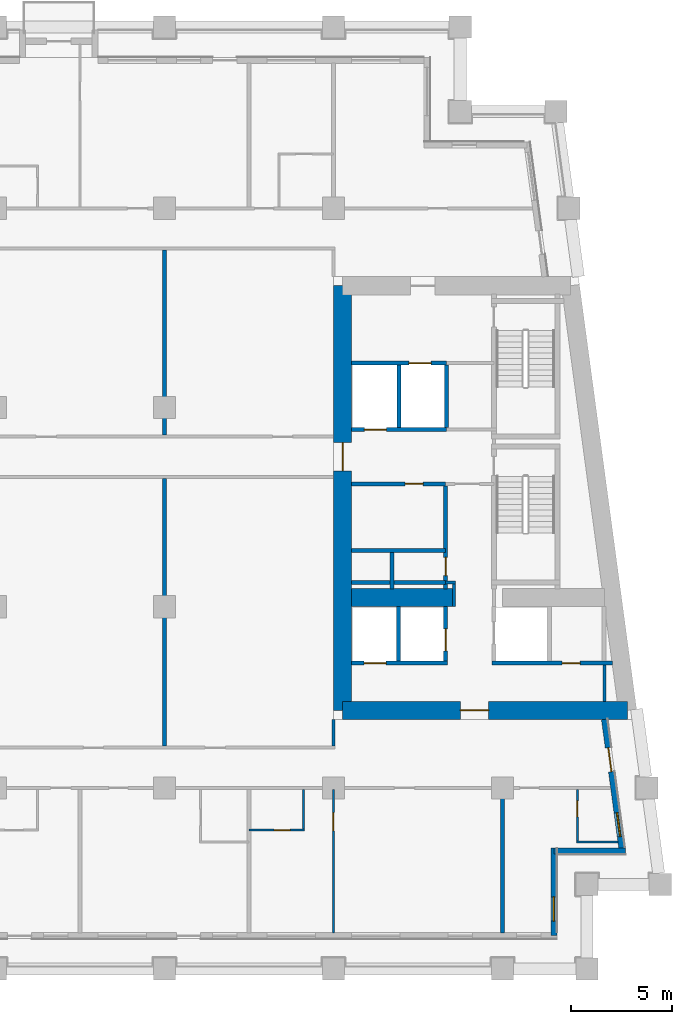
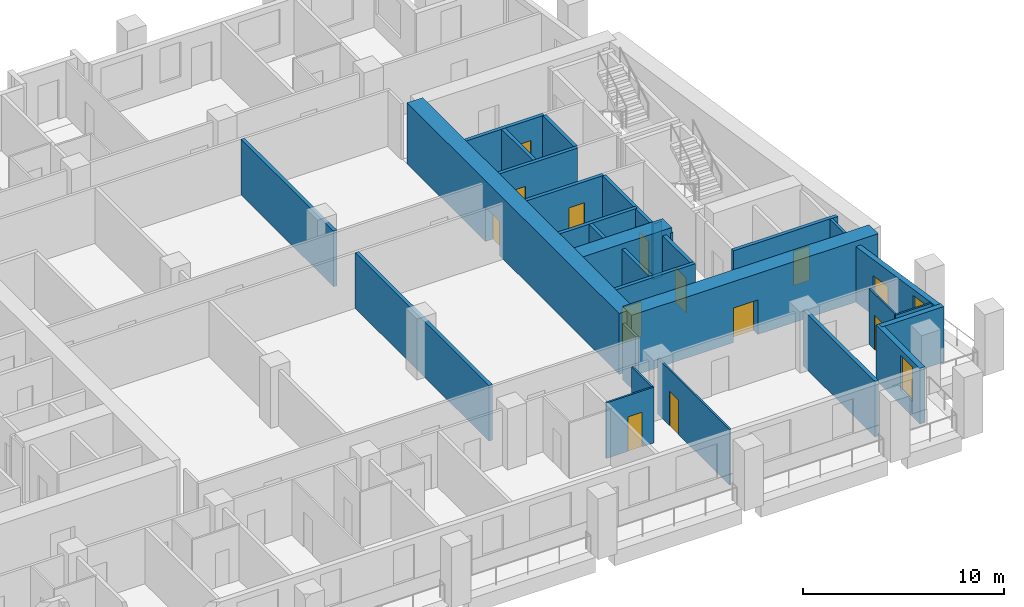
# One storey, part 5 of 13: 31 walls, 13 doors, 2 windows, 15 openings.
"""IFC4 building model written with IfcOpenShell, lengths in metres."""

from ifc_helpers import new_model, si_unit, direction, frame, frame_2d, origin, place, context, subcontext, project, spatial, rectangle, extrude, material, layer, layer_set, type_object, element, fill, save


model = new_model("IFC4")

# Units and contexts
model_context = context("Model", 3, precision=1e-05, world=origin(), true_north=direction((0.0, 1.0)))
body_context = subcontext(model_context, "Body", "Model", "MODEL_VIEW")
ifc_project = project(units=[si_unit("LENGTHUNIT", "METRE"), si_unit("AREAUNIT", "SQUARE_METRE"), si_unit("VOLUMEUNIT", "CUBIC_METRE"), si_unit("PLANEANGLEUNIT", "RADIAN"), si_unit("MASSUNIT", "GRAM", prefix="KILO")], contexts=[model_context])

# Site, building, storey
site_placement = place(None, origin())
site = spatial("IfcSite", under=ifc_project, at=site_placement, CompositionType="ELEMENT")
building_placement = place(site_placement, origin())
building = spatial("IfcBuilding", under=site, at=building_placement, Name="Candeia Pilgrim Tower and Theatre", CompositionType="ELEMENT")
storey_placement = place(building_placement, frame((0.0, 0.0, 170.0)))
storey = spatial("IfcBuildingStorey", under=building, at=storey_placement, Name="L40", CompositionType="ELEMENT", Elevation=170.0)

# Wall, opening, door
ifc_material_1 = material(Name="Concrete C60/75", Category="concrete")
ifc_layer_1 = layer(ifc_material_1, 0.89990234375)
ifc_layer_set_1 = layer_set([ifc_layer_1], Name="Core wall 900 C60/75")
wall_type_1 = type_object("IfcWallType", Name="Core wall 900 C60/75", PredefinedType="SHEAR", material=ifc_layer_set_1)
wall_1_placement = place(storey_placement, frame((140.6162109375, 110.85009765625, 0.0), z_axis=(0.0, 0.0, 1.0), x_axis=(-1.0, 0.0, 0.0)))
wall_1 = element("IfcWall", 1, at=wall_1_placement, inside=storey, type_object=wall_type_1, Name="Core wall E3", PredefinedType="SHEAR", context=body_context, shape_type="SweptSolid", body=[
    extrude(rectangle(XDim=14.166259765625, YDim=0.89990234375, at=frame_2d((7.0830078125, 0.0))), origin(), (0.0, 0.0, 1.0), 3.699951171875),
])
opening_1_placement = place(wall_1_placement, frame((6.911376953125, 0.0, 0.0)))
opening_1 = element("IfcOpeningElement", 2, at=opening_1_placement, cuts=wall_1, Name="Opening L40-D053", PredefinedType="OPENING", context=body_context, shape_type="SweptSolid", body=[
    extrude(rectangle(XDim=1.39990234375, YDim=2.10009765625, at=frame_2d((0.699951171875, 1.050048828125))), frame((0.0, 0.4599609375, 0.0), z_axis=(0.0, -1.0, 0.0), x_axis=(1.0, 0.0, 0.0)), (0.0, 0.0, 1.0), 0.919921875),
])
ifc_material_2 = material(Name="Steel fire door set", Category="steel")
door_type_1 = type_object("IfcDoorType", Name="D-1400-FD60", OperationType="NOTDEFINED", PredefinedType="DOOR", material=ifc_material_2)
door_1_placement = place(opening_1_placement, origin())
door_1 = element("IfcDoor", 3, at=door_1_placement, inside=storey, type_object=door_type_1, Name="Door L40-D053", OperationType="SINGLE_SWING_LEFT", OverallHeight=2.10009765625, OverallWidth=1.39990234375, PredefinedType="DOOR", context=body_context, shape_type="SweptSolid", body=[
    extrude(rectangle(XDim=1.39990234375, YDim=2.10009765625, at=frame_2d((0.699951171875, 1.050048828125))), frame((0.0, 0.02490234375, 0.0), z_axis=(0.0, -1.0, 0.0), x_axis=(1.0, 0.0, 0.0)), (0.0, 0.0, 1.0), 0.050048828125),
])
fill(opening_1, door_1)

wall_2_placement = place(storey_placement, frame((126.449951171875, 110.85009765625, 0.0), z_axis=(0.0, 0.0, 1.0), x_axis=(0.0, 1.0, 0.0)))
wall_2 = element("IfcWall", 4, at=wall_2_placement, inside=storey, type_object=wall_type_1, Name="Core wall E4", PredefinedType="SHEAR", context=body_context, shape_type="SweptSolid", body=[
    extrude(rectangle(XDim=21.099853515625, YDim=0.89990234375, at=frame_2d((10.5498046875, 0.0))), origin(), (0.0, 0.0, 1.0), 3.699951171875),
])
opening_2_placement = place(wall_2_placement, frame((11.89990234375, 0.0, 0.0)))
opening_2 = element("IfcOpeningElement", 5, at=opening_2_placement, cuts=wall_2, Name="Opening L40-D055", PredefinedType="OPENING", context=body_context, shape_type="SweptSolid", body=[
    extrude(rectangle(XDim=1.39990234375, YDim=2.10009765625, at=frame_2d((0.699951171875, 1.050048828125))), frame((0.0, 0.4599609375, 0.0), z_axis=(0.0, -1.0, 0.0), x_axis=(1.0, 0.0, 0.0)), (0.0, 0.0, 1.0), 0.919921875),
])
door_2_placement = place(opening_2_placement, origin())
door_2 = element("IfcDoor", 6, at=door_2_placement, inside=storey, type_object=door_type_1, Name="Door L40-D055", OperationType="SINGLE_SWING_LEFT", OverallHeight=2.10009765625, OverallWidth=1.39990234375, PredefinedType="DOOR", context=body_context, shape_type="SweptSolid", body=[
    extrude(rectangle(XDim=1.39990234375, YDim=2.10009765625, at=frame_2d((0.699951171875, 1.050048828125))), frame((0.0, 0.02490234375, 0.0), z_axis=(0.0, -1.0, 0.0), x_axis=(1.0, 0.0, 0.0)), (0.0, 0.0, 1.0), 0.050048828125),
])
fill(opening_2, door_2)

# Wall
wall_3_placement = place(storey_placement, frame((126.89990234375, 116.449951171875, 0.0), z_axis=(0.0, 0.0, 1.0), x_axis=(1.0, 0.0, 0.0)))
element("IfcWall", 7, at=wall_3_placement, inside=storey, type_object=wall_type_1, Name="Core wall E5", PredefinedType="SHEAR", context=body_context, shape_type="SweptSolid", body=[
    extrude(rectangle(XDim=5.10009765625, YDim=0.89990234375, at=frame_2d((2.550048828125, 0.0))), origin(), (0.0, 0.0, 1.0), 3.699951171875),
])

# Wall, opening, window
ifc_material_3 = material(Name="Ceramic block masonry", Category="masonry")
ifc_layer_2 = layer(ifc_material_3, 0.300048828125)
ifc_layer_set_2 = layer_set([ifc_layer_2], Name="EW1 glazing-line wall 300")
wall_type_2 = type_object("IfcWallType", Name="EW1 glazing-line wall 300", PredefinedType="SOLIDWALL", material=ifc_layer_set_2)
wall_4_placement = place(storey_placement, frame((136.949951171875, 99.64990234375, 0.0), z_axis=(0.0, 0.0, 1.0), x_axis=(0.0, 1.0, 0.0)))
wall_4 = element("IfcWall", 8, at=wall_4_placement, inside=storey, type_object=wall_type_2, Name="External wall L40-1.0", PredefinedType="SOLIDWALL", context=body_context, shape_type="SweptSolid", body=[
    extrude(rectangle(XDim=4.35009765625, YDim=0.300048828125, at=frame_2d((2.175048828125, 0.0))), origin(), (0.0, 0.0, 1.0), 3.3798828125),
])
opening_3_placement = place(wall_4_placement, frame((0.72509765625, 0.0, 0.89990234375)))
opening_3 = element("IfcOpeningElement", 9, at=opening_3_placement, cuts=wall_4, Name="Opening W-B", PredefinedType="OPENING", context=body_context, shape_type="SweptSolid", body=[
    extrude(rectangle(XDim=1.199951171875, YDim=2.10009765625, at=frame_2d((0.60009765625, 1.050048828125))), frame((0.0, 0.16015625, 0.0), z_axis=(0.0, -1.0, 0.0), x_axis=(1.0, 0.0, 0.0)), (0.0, 0.0, 1.0), 0.320068359375),
])
ifc_material_4 = material(Name="Aluminium framed double glazing", Category="aluminium")
window_type = type_object("IfcWindowType", Name="W-B window 1200x2100", PartitioningType="SINGLE_PANEL", PredefinedType="WINDOW", material=ifc_material_4)
window_1_placement = place(opening_3_placement, origin())
window_1 = element("IfcWindow", 10, at=window_1_placement, inside=storey, type_object=window_type, Name="Window W-B L40", OverallHeight=2.10009765625, OverallWidth=1.199951171875, PartitioningType="SINGLE_PANEL", PredefinedType="WINDOW", context=body_context, shape_type="SweptSolid", body=[
    extrude(rectangle(XDim=1.199951171875, YDim=2.10009765625, at=frame_2d((0.60009765625, 1.050048828125))), frame((0.0, 0.030029296875, 0.0), z_axis=(0.0, -1.0, 0.0), x_axis=(1.0, 0.0, 0.0)), (0.0, 0.0, 1.0), 0.06005859375),
])
fill(opening_3, window_1)

# Wall
wall_5_placement = place(storey_placement, frame((136.949951171875, 103.85009765625, 0.0), z_axis=(0.0, 0.0, 1.0), x_axis=(1.0, 0.0, 0.0)))
element("IfcWall", 11, at=wall_5_placement, inside=storey, type_object=wall_type_2, Name="External wall L40-2.0", PredefinedType="SOLIDWALL", context=body_context, shape_type="SweptSolid", body=[
    extrude(rectangle(XDim=3.569091796875, YDim=0.300048828125, at=frame_2d((1.78466796875, 0.0))), origin(), (0.0, 0.0, 1.0), 3.3798828125),
])

# Wall, openings, door, window
wall_6_placement = place(storey_placement, frame((140.34765625, 103.85009765625, 0.0), z_axis=(0.0, 0.0, 1.0), x_axis=(-0.133431549479, 0.991058031401, 0.0)))
wall_6 = element("IfcWall", 12, at=wall_6_placement, inside=storey, type_object=wall_type_2, Name="External wall L40-3.0", PredefinedType="SOLIDWALL", context=body_context, shape_type="SweptSolid", body=[
    extrude(rectangle(XDim=6.60888671875, YDim=0.300048828125, at=frame_2d((3.304443359375, 0.0))), origin(), (0.0, 0.0, 1.0), 3.3798828125),
])
opening_4_placement = place(wall_6_placement, frame((0.736572265625, 0.0, 0.89990234375)))
opening_4 = element("IfcOpeningElement", 13, at=opening_4_placement, cuts=wall_6, Name="Opening W-B", PredefinedType="OPENING", context=body_context, shape_type="SweptSolid", body=[
    extrude(rectangle(XDim=1.199951171875, YDim=2.10009765625, at=frame_2d((0.60009765625, 1.050048828125))), frame((0.0, 0.16015625, 0.0), z_axis=(0.0, -1.0, 0.0), x_axis=(1.0, 0.0, 0.0)), (0.0, 0.0, 1.0), 0.320068359375),
])
opening_5_placement = place(wall_6_placement, frame((3.990966796875, 0.0, 0.0)))
opening_5 = element("IfcOpeningElement", 14, at=opening_5_placement, cuts=wall_6, Name="Opening L40-ED384", PredefinedType="OPENING", context=body_context, shape_type="SweptSolid", body=[
    extrude(rectangle(XDim=1.199951171875, YDim=2.39990234375, at=frame_2d((0.60009765625, 1.199951171875))), frame((0.0, 0.16015625, 0.0), z_axis=(0.0, -1.0, 0.0), x_axis=(1.0, 0.0, 0.0)), (0.0, 0.0, 1.0), 0.320068359375),
])
ifc_material_5 = material(Name="Aluminium framed glazed door", Category="aluminium")
door_type_2 = type_object("IfcDoorType", Name="Loggia door 1200x2400", OperationType="DOUBLE_DOOR_SINGLE_SWING", PredefinedType="DOOR", material=ifc_material_5)
door_3_placement = place(opening_5_placement, origin())
door_3 = element("IfcDoor", 15, at=door_3_placement, inside=storey, type_object=door_type_2, Name="Loggia door L40-ED384", OperationType="DOUBLE_DOOR_SINGLE_SWING", OverallHeight=2.39990234375, OverallWidth=1.199951171875, PredefinedType="DOOR", context=body_context, shape_type="SweptSolid", body=[
    extrude(rectangle(XDim=1.199951171875, YDim=2.39990234375, at=frame_2d((0.60009765625, 1.199951171875))), frame((0.0, 0.02490234375, 0.0), z_axis=(0.0, -1.0, 0.0), x_axis=(1.0, 0.0, 0.0)), (0.0, 0.0, 1.0), 0.050048828125),
])
fill(opening_5, door_3)
window_2_placement = place(opening_4_placement, origin())
window_2 = element("IfcWindow", 16, at=window_2_placement, inside=storey, type_object=window_type, Name="Window W-B L40", OverallHeight=2.10009765625, OverallWidth=1.199951171875, PartitioningType="SINGLE_PANEL", PredefinedType="WINDOW", context=body_context, shape_type="SweptSolid", body=[
    extrude(rectangle(XDim=1.199951171875, YDim=2.10009765625, at=frame_2d((0.60009765625, 1.050048828125))), frame((0.0, 0.030029296875, 0.0), z_axis=(0.0, -1.0, 0.0), x_axis=(1.0, 0.0, 0.0)), (0.0, 0.0, 1.0), 0.06005859375),
])
fill(opening_4, window_2)

# Wall
ifc_material_6 = material(Name="Gypsum board partition on steel studs", Category="steel")
ifc_layer_3 = layer(ifc_material_6, 0.10009765625)
ifc_layer_set_3 = layer_set([ifc_layer_3], Name="PW-100 room partition")
wall_type_3 = type_object("IfcWallType", Name="PW-100 room partition", PredefinedType="PARTITIONING", material=ifc_layer_set_3)
wall_7_placement = place(storey_placement, frame((138.070068359375, 104.300048828125, 0.0), z_axis=(0.0, 0.0, 1.0), x_axis=(1.0, 0.0, 0.0)))
element("IfcWall", 17, at=wall_7_placement, inside=storey, type_object=wall_type_3, Name="Room partition L40-003", PredefinedType="PARTITIONING", context=body_context, shape_type="SweptSolid", body=[
    extrude(rectangle(XDim=2.07568359375, YDim=0.10009765625, at=frame_2d((1.037841796875, 0.0))), origin(), (0.0, 0.0, 1.0), 3.3798828125),
])

# Wall, opening, door
wall_8_placement = place(storey_placement, frame((121.800048828125, 104.89990234375, 0.0), z_axis=(0.0, 0.0, 1.0), x_axis=(1.0, 0.0, 0.0)))
wall_8 = element("IfcWall", 18, at=wall_8_placement, inside=storey, type_object=wall_type_3, Name="Room partition L40-007", PredefinedType="PARTITIONING", context=body_context, shape_type="SweptSolid", body=[
    extrude(rectangle(XDim=2.75, YDim=0.10009765625, at=frame_2d((1.375, 0.0))), origin(), (0.0, 0.0, 1.0), 3.3798828125),
])
opening_6_placement = place(wall_8_placement, frame((1.25, 0.0, 0.0)))
opening_6 = element("IfcOpeningElement", 19, at=opening_6_placement, cuts=wall_8, Name="Opening L40-D028", PredefinedType="OPENING", context=body_context, shape_type="SweptSolid", body=[
    extrude(rectangle(XDim=0.800048828125, YDim=2.10009765625, at=frame_2d((0.39990234375, 1.050048828125))), frame((0.0, 0.06005859375, 0.0), z_axis=(0.0, -1.0, 0.0), x_axis=(1.0, 0.0, 0.0)), (0.0, 0.0, 1.0), 0.1201171875),
])
ifc_material_7 = material(Name="Timber door leaf", Category="wood")
door_type_3 = type_object("IfcDoorType", Name="D-800", OperationType="NOTDEFINED", PredefinedType="DOOR", material=ifc_material_7)
door_4_placement = place(opening_6_placement, origin())
door_4 = element("IfcDoor", 20, at=door_4_placement, inside=storey, type_object=door_type_3, Name="Door L40-D028", OperationType="SINGLE_SWING_RIGHT", OverallHeight=2.10009765625, OverallWidth=0.800048828125, PredefinedType="DOOR", context=body_context, shape_type="SweptSolid", body=[
    extrude(rectangle(XDim=0.800048828125, YDim=2.10009765625, at=frame_2d((0.39990234375, 1.050048828125))), frame((0.0, 0.02490234375, 0.0), z_axis=(0.0, -1.0, 0.0), x_axis=(1.0, 0.0, 0.0)), (0.0, 0.0, 1.0), 0.050048828125),
])
fill(opening_6, door_4)

# Wall
wall_9_placement = place(storey_placement, frame((124.5, 104.949951171875, 0.0), z_axis=(0.0, 0.0, 1.0), x_axis=(0.0, 1.0, 0.0)))
element("IfcWall", 21, at=wall_9_placement, inside=storey, type_object=wall_type_3, Name="Room partition L40-092", PredefinedType="PARTITIONING", context=body_context, shape_type="SweptSolid", body=[
    extrude(rectangle(XDim=1.97509765625, YDim=0.10009765625, at=frame_2d((0.987548828125, 0.0))), origin(), (0.0, 0.0, 1.0), 3.3798828125),
])

# Wall, opening, door
wall_10_placement = place(storey_placement, frame((126.0, 99.7900390625, 0.0), z_axis=(0.0, 0.0, 1.0), x_axis=(0.0, 1.0, 0.0)))
wall_10 = element("IfcWall", 22, at=wall_10_placement, inside=storey, type_object=wall_type_3, Name="Room partition L40-093", PredefinedType="PARTITIONING", context=body_context, shape_type="SweptSolid", body=[
    extrude(rectangle(XDim=7.135009765625, YDim=0.10009765625, at=frame_2d((3.5673828125, 0.0))), origin(), (0.0, 0.0, 1.0), 3.3798828125),
])
opening_7_placement = place(wall_10_placement, frame((5.074951171875, 0.0, 0.0)))
opening_7 = element("IfcOpeningElement", 23, at=opening_7_placement, cuts=wall_10, Name="Opening L40-D027", PredefinedType="OPENING", context=body_context, shape_type="SweptSolid", body=[
    extrude(rectangle(XDim=0.89990234375, YDim=2.10009765625, at=frame_2d((0.449951171875, 1.050048828125))), frame((0.0, 0.06005859375, 0.0), z_axis=(0.0, -1.0, 0.0), x_axis=(1.0, 0.0, 0.0)), (0.0, 0.0, 1.0), 0.1201171875),
])
door_type_4 = type_object("IfcDoorType", Name="D-900", OperationType="NOTDEFINED", PredefinedType="DOOR", material=ifc_material_7)
door_5_placement = place(opening_7_placement, origin())
door_5 = element("IfcDoor", 24, at=door_5_placement, inside=storey, type_object=door_type_4, Name="Door L40-D027", OperationType="SINGLE_SWING_LEFT", OverallHeight=2.10009765625, OverallWidth=0.89990234375, PredefinedType="DOOR", context=body_context, shape_type="SweptSolid", body=[
    extrude(rectangle(XDim=0.89990234375, YDim=2.10009765625, at=frame_2d((0.449951171875, 1.050048828125))), frame((0.0, 0.02490234375, 0.0), z_axis=(0.0, -1.0, 0.0), x_axis=(1.0, 0.0, 0.0)), (0.0, 0.0, 1.0), 0.050048828125),
])
fill(opening_7, door_5)

wall_11_placement = place(storey_placement, frame((138.1201171875, 104.35009765625, 0.0), z_axis=(0.0, 0.0, 1.0), x_axis=(0.0, 1.0, 0.0)))
wall_11 = element("IfcWall", 25, at=wall_11_placement, inside=storey, type_object=wall_type_3, Name="Room partition L40-113", PredefinedType="PARTITIONING", context=body_context, shape_type="SweptSolid", body=[
    extrude(rectangle(XDim=2.574951171875, YDim=0.10009765625, at=frame_2d((1.28759765625, 0.0))), origin(), (0.0, 0.0, 1.0), 3.3798828125),
])
opening_8_placement = place(wall_11_placement, frame((1.199951171875, 0.0, 0.0)))
opening_8 = element("IfcOpeningElement", 26, at=opening_8_placement, cuts=wall_11, Name="Opening L40-D030", PredefinedType="OPENING", context=body_context, shape_type="SweptSolid", body=[
    extrude(rectangle(XDim=0.800048828125, YDim=2.10009765625, at=frame_2d((0.39990234375, 1.050048828125))), frame((0.0, 0.06005859375, 0.0), z_axis=(0.0, -1.0, 0.0), x_axis=(1.0, 0.0, 0.0)), (0.0, 0.0, 1.0), 0.1201171875),
])
door_6_placement = place(opening_8_placement, origin())
door_6 = element("IfcDoor", 27, at=door_6_placement, inside=storey, type_object=door_type_3, Name="Door L40-D030", OperationType="SINGLE_SWING_RIGHT", OverallHeight=2.10009765625, OverallWidth=0.800048828125, PredefinedType="DOOR", context=body_context, shape_type="SweptSolid", body=[
    extrude(rectangle(XDim=0.800048828125, YDim=2.10009765625, at=frame_2d((0.39990234375, 1.050048828125))), frame((0.0, 0.02490234375, 0.0), z_axis=(0.0, -1.0, 0.0), x_axis=(1.0, 0.0, 0.0)), (0.0, 0.0, 1.0), 0.050048828125),
])
fill(opening_8, door_6)

# Walls
ifc_layer_4 = layer(ifc_material_6, 0.14990234375)
ifc_layer_set_4 = layer_set([ifc_layer_4], Name="PW-150 lobby wall")
wall_type_4 = type_object("IfcWallType", Name="PW-150 lobby wall", PredefinedType="PARTITIONING", material=ifc_layer_set_4)
wall_12_placement = place(storey_placement, frame((131.572998046875, 117.199951171875, 0.0), z_axis=(0.0, 0.0, 1.0), x_axis=(1.0, 0.0, 0.0)))
element("IfcWall", 28, at=wall_12_placement, inside=storey, type_object=wall_type_4, Name="Lobby wall L40-017", PredefinedType="PARTITIONING", context=body_context, shape_type="SweptSolid", body=[
    extrude(rectangle(XDim=0.501953125, YDim=0.14990234375, at=frame_2d((0.2509765625, 0.0))), origin(), (0.0, 0.0, 1.0), 3.3798828125),
])
wall_13_placement = place(storey_placement, frame((132.0, 116.0, 0.0), z_axis=(0.0, 0.0, 1.0), x_axis=(0.0, 1.0, 0.0)))
element("IfcWall", 29, at=wall_13_placement, inside=storey, type_object=wall_type_4, Name="Lobby wall L40-103", PredefinedType="PARTITIONING", context=body_context, shape_type="SweptSolid", body=[
    extrude(rectangle(XDim=1.125, YDim=0.14990234375, at=frame_2d((0.5625, 0.0))), origin(), (0.0, 0.0, 1.0), 3.3798828125),
])
wall_14_placement = place(storey_placement, frame((139.471923828125, 111.300048828125, 0.0), z_axis=(0.0, 0.0, 1.0), x_axis=(0.0, 1.0, 0.0)))
element("IfcWall", 30, at=wall_14_placement, inside=storey, type_object=wall_type_4, Name="Lobby wall L40-115", PredefinedType="PARTITIONING", context=body_context, shape_type="SweptSolid", body=[
    extrude(rectangle(XDim=1.800048828125, YDim=0.14990234375, at=frame_2d((0.89990234375, 0.0))), origin(), (0.0, 0.0, 1.0), 3.3798828125),
])
ifc_layer_5 = layer(ifc_material_6, 0.14990234375)
ifc_layer_set_5 = layer_set([ifc_layer_5], Name="PW-150 unit wall")
wall_type_5 = type_object("IfcWallType", Name="PW-150 unit wall", PredefinedType="PARTITIONING", material=ifc_layer_set_5)
wall_15_placement = place(storey_placement, frame((126.0, 109.074951171875, 0.0), z_axis=(0.0, 0.0, 1.0), x_axis=(0.0, 1.0, 0.0)))
element("IfcWall", 31, at=wall_15_placement, inside=storey, type_object=wall_type_5, Name="Unit wall L40-095", PredefinedType="PARTITIONING", context=body_context, shape_type="SweptSolid", body=[
    extrude(rectangle(XDim=1.324951171875, YDim=0.14990234375, at=frame_2d((0.66259765625, 0.0))), origin(), (0.0, 0.0, 1.0), 3.3798828125),
])
ifc_layer_6 = layer(ifc_material_6, 0.199951171875)
ifc_layer_set_6 = layer_set([ifc_layer_6], Name="PW-200 party wall")
wall_type_6 = type_object("IfcWallType", Name="PW-200 party wall", PredefinedType="PARTITIONING", material=ifc_layer_set_6)
wall_16_placement = place(storey_placement, frame((117.60009765625, 109.074951171875, 0.0), z_axis=(0.0, 0.0, 1.0), x_axis=(0.0, 1.0, 0.0)))
element("IfcWall", 32, at=wall_16_placement, inside=storey, type_object=wall_type_6, Name="Party wall L40-086", PredefinedType="PARTITIONING", context=body_context, shape_type="SweptSolid", body=[
    extrude(rectangle(XDim=13.300048828125, YDim=0.199951171875, at=frame_2d((6.64990234375, 0.0))), origin(), (0.0, 0.0, 1.0), 3.3798828125),
])
wall_17_placement = place(storey_placement, frame((117.60009765625, 124.52490234375, 0.0), z_axis=(0.0, 0.0, 1.0), x_axis=(0.0, 1.0, 0.0)))
element("IfcWall", 33, at=wall_17_placement, inside=storey, type_object=wall_type_6, Name="Party wall L40-087", PredefinedType="PARTITIONING", context=body_context, shape_type="SweptSolid", body=[
    extrude(rectangle(XDim=9.2001953125, YDim=0.199951171875, at=frame_2d((4.60009765625, 0.0))), origin(), (0.0, 0.0, 1.0), 3.3798828125),
])
wall_18_placement = place(storey_placement, frame((134.39990234375, 99.7900390625, 0.0), z_axis=(0.0, 0.0, 1.0), x_axis=(0.0, 1.0, 0.0)))
element("IfcWall", 34, at=wall_18_placement, inside=storey, type_object=wall_type_6, Name="Party wall L40-109", PredefinedType="PARTITIONING", context=body_context, shape_type="SweptSolid", body=[
    extrude(rectangle(XDim=7.135009765625, YDim=0.199951171875, at=frame_2d((3.5673828125, 0.0))), origin(), (0.0, 0.0, 1.0), 3.3798828125),
])

# Wall, opening, door
ifc_material_8 = material(Name="Concrete C40/50", Category="concrete")
ifc_layer_7 = layer(ifc_material_8, 0.199951171875)
ifc_layer_set_7 = layer_set([ifc_layer_7], Name="SW-200 shaft wall")
wall_type_7 = type_object("IfcWallType", Name="SW-200 shaft wall", PredefinedType="PARTITIONING", material=ifc_layer_set_7)
wall_19_placement = place(storey_placement, frame((126.89990234375, 113.199951171875, 0.0), z_axis=(0.0, 0.0, 1.0), x_axis=(1.0, 0.0, 0.0)))
wall_19 = element("IfcWall", 35, at=wall_19_placement, inside=storey, type_object=wall_type_7, Name="Shaft wall L40-012", PredefinedType="PARTITIONING", context=body_context, shape_type="SweptSolid", body=[
    extrude(rectangle(XDim=4.773193359375, YDim=0.199951171875, at=frame_2d((2.38671875, 0.0))), origin(), (0.0, 0.0, 1.0), 3.3798828125),
])
opening_9_placement = place(wall_19_placement, frame((0.617919921875, 0.0, 0.0)))
opening_9 = element("IfcOpeningElement", 36, at=opening_9_placement, cuts=wall_19, Name="Opening L40-LD08", PredefinedType="OPENING", context=body_context, shape_type="SweptSolid", body=[
    extrude(rectangle(XDim=1.10009765625, YDim=2.10009765625, at=frame_2d((0.550048828125, 1.050048828125))), frame((0.0, 0.10986328125, 0.0), z_axis=(0.0, -1.0, 0.0), x_axis=(1.0, 0.0, 0.0)), (0.0, 0.0, 1.0), 0.219970703125),
])
ifc_material_9 = material(Name="Glazed aluminium landing door", Category="aluminium")
door_type_5 = type_object("IfcDoorType", Name="LD-1100-EI120", OperationType="SLIDING_TO_LEFT", PredefinedType="DOOR", material=ifc_material_9)
door_7_placement = place(opening_9_placement, origin())
door_7 = element("IfcDoor", 37, at=door_7_placement, inside=storey, type_object=door_type_5, Name="Landing door 08 L40", OperationType="SLIDING_TO_LEFT", OverallHeight=2.10009765625, OverallWidth=1.10009765625, PredefinedType="DOOR", context=body_context, shape_type="SweptSolid", body=[
    extrude(rectangle(XDim=1.10009765625, YDim=2.10009765625, at=frame_2d((0.550048828125, 1.050048828125))), frame((0.0, 0.02490234375, 0.0), z_axis=(0.0, -1.0, 0.0), x_axis=(1.0, 0.0, 0.0)), (0.0, 0.0, 1.0), 0.050048828125),
])
fill(opening_9, door_7)

wall_20_placement = place(storey_placement, frame((133.873046875, 113.199951171875, 0.0), z_axis=(0.0, 0.0, 1.0), x_axis=(1.0, 0.0, 0.0)))
wall_20 = element("IfcWall", 38, at=wall_20_placement, inside=storey, type_object=wall_type_7, Name="Shaft wall L40-013", PredefinedType="PARTITIONING", context=body_context, shape_type="SweptSolid", body=[
    extrude(rectangle(XDim=6.002685546875, YDim=0.199951171875, at=frame_2d((3.00146484375, 0.0))), origin(), (0.0, 0.0, 1.0), 3.3798828125),
])
opening_10_placement = place(wall_20_placement, frame((3.487060546875, 0.0, 0.0)))
opening_10 = element("IfcOpeningElement", 39, at=opening_10_placement, cuts=wall_20, Name="Opening L40-D013", PredefinedType="OPENING", context=body_context, shape_type="SweptSolid", body=[
    extrude(rectangle(XDim=0.89990234375, YDim=2.10009765625, at=frame_2d((0.449951171875, 1.050048828125))), frame((0.0, 0.10986328125, 0.0), z_axis=(0.0, -1.0, 0.0), x_axis=(1.0, 0.0, 0.0)), (0.0, 0.0, 1.0), 0.219970703125),
])
door_type_6 = type_object("IfcDoorType", Name="D-900-FD60", OperationType="NOTDEFINED", PredefinedType="DOOR", material=ifc_material_2)
door_8_placement = place(opening_10_placement, origin())
door_8 = element("IfcDoor", 40, at=door_8_placement, inside=storey, type_object=door_type_6, Name="Door L40-D013", OperationType="SINGLE_SWING_LEFT", OverallHeight=2.10009765625, OverallWidth=0.89990234375, PredefinedType="DOOR", context=body_context, shape_type="SweptSolid", body=[
    extrude(rectangle(XDim=0.89990234375, YDim=2.10009765625, at=frame_2d((0.449951171875, 1.050048828125))), frame((0.0, 0.02490234375, 0.0), z_axis=(0.0, -1.0, 0.0), x_axis=(1.0, 0.0, 0.0)), (0.0, 0.0, 1.0), 0.050048828125),
])
fill(opening_10, door_8)

# Walls
for number, where, z_axis, x_axis, name in (
    (41, (126.89990234375, 117.199951171875, 0.0), (0.0, 0.0, 1.0), (1.0, 0.0, 0.0), "Shaft wall L40-015"),
    (42, (126.89990234375, 118.800048828125, 0.0), (0.0, 0.0, 1.0), (1.0, 0.0, 0.0), "Shaft wall L40-021"),
):
    element("IfcWall", number, at=place(storey_placement, frame(where, z_axis=z_axis, x_axis=x_axis)), inside=storey, type_object=wall_type_7, Name=name, PredefinedType="PARTITIONING", context=body_context, shape_type="SweptSolid", body=[
        extrude(rectangle(XDim=4.673095703125, YDim=0.199951171875, at=frame_2d((2.33642578125, 0.0))), origin(), (0.0, 0.0, 1.0), 3.3798828125),
    ])

# Wall, opening, door
wall_21_placement = place(storey_placement, frame((126.89990234375, 122.10009765625, 0.0), z_axis=(0.0, 0.0, 1.0), x_axis=(1.0, 0.0, 0.0)))
wall_21 = element("IfcWall", 43, at=wall_21_placement, inside=storey, type_object=wall_type_7, Name="Shaft wall L40-023", PredefinedType="PARTITIONING", context=body_context, shape_type="SweptSolid", body=[
    extrude(rectangle(XDim=4.673095703125, YDim=0.199951171875, at=frame_2d((2.33642578125, 0.0))), origin(), (0.0, 0.0, 1.0), 3.3798828125),
])
opening_11_placement = place(wall_21_placement, frame((2.655029296875, 0.0, 0.0)))
opening_11 = element("IfcOpeningElement", 44, at=opening_11_placement, cuts=wall_21, Name="Opening L40-D009", PredefinedType="OPENING", context=body_context, shape_type="SweptSolid", body=[
    extrude(rectangle(XDim=0.89990234375, YDim=2.10009765625, at=frame_2d((0.449951171875, 1.050048828125))), frame((0.0, 0.10986328125, 0.0), z_axis=(0.0, -1.0, 0.0), x_axis=(1.0, 0.0, 0.0)), (0.0, 0.0, 1.0), 0.219970703125),
])
door_9_placement = place(opening_11_placement, origin())
door_9 = element("IfcDoor", 45, at=door_9_placement, inside=storey, type_object=door_type_6, Name="Door L40-D009", OperationType="SINGLE_SWING_RIGHT", OverallHeight=2.10009765625, OverallWidth=0.89990234375, PredefinedType="DOOR", context=body_context, shape_type="SweptSolid", body=[
    extrude(rectangle(XDim=0.89990234375, YDim=2.10009765625, at=frame_2d((0.449951171875, 1.050048828125))), frame((0.0, 0.02490234375, 0.0), z_axis=(0.0, -1.0, 0.0), x_axis=(1.0, 0.0, 0.0)), (0.0, 0.0, 1.0), 0.050048828125),
])
fill(opening_11, door_9)

wall_22_placement = place(storey_placement, frame((126.89990234375, 124.800048828125, 0.0), z_axis=(0.0, 0.0, 1.0), x_axis=(1.0, 0.0, 0.0)))
wall_22 = element("IfcWall", 46, at=wall_22_placement, inside=storey, type_object=wall_type_7, Name="Shaft wall L40-033", PredefinedType="PARTITIONING", context=body_context, shape_type="SweptSolid", body=[
    extrude(rectangle(XDim=4.71533203125, YDim=0.199951171875, at=frame_2d((2.357666015625, 0.0))), origin(), (0.0, 0.0, 1.0), 3.3798828125),
])
opening_12_placement = place(wall_22_placement, frame((0.62890625, 0.0, 0.0)))
opening_12 = element("IfcOpeningElement", 47, at=opening_12_placement, cuts=wall_22, Name="Opening L40-LD05", PredefinedType="OPENING", context=body_context, shape_type="SweptSolid", body=[
    extrude(rectangle(XDim=1.10009765625, YDim=2.10009765625, at=frame_2d((0.550048828125, 1.050048828125))), frame((0.0, 0.10986328125, 0.0), z_axis=(0.0, -1.0, 0.0), x_axis=(1.0, 0.0, 0.0)), (0.0, 0.0, 1.0), 0.219970703125),
])
door_10_placement = place(opening_12_placement, origin())
door_10 = element("IfcDoor", 48, at=door_10_placement, inside=storey, type_object=door_type_5, Name="Landing door 05 L40", OperationType="SLIDING_TO_LEFT", OverallHeight=2.10009765625, OverallWidth=1.10009765625, PredefinedType="DOOR", context=body_context, shape_type="SweptSolid", body=[
    extrude(rectangle(XDim=1.10009765625, YDim=2.10009765625, at=frame_2d((0.550048828125, 1.050048828125))), frame((0.0, 0.02490234375, 0.0), z_axis=(0.0, -1.0, 0.0), x_axis=(1.0, 0.0, 0.0)), (0.0, 0.0, 1.0), 0.050048828125),
])
fill(opening_12, door_10)

wall_23_placement = place(storey_placement, frame((126.89990234375, 128.10009765625, 0.0), z_axis=(0.0, 0.0, 1.0), x_axis=(1.0, 0.0, 0.0)))
wall_23 = element("IfcWall", 49, at=wall_23_placement, inside=storey, type_object=wall_type_7, Name="Shaft wall L40-036", PredefinedType="PARTITIONING", context=body_context, shape_type="SweptSolid", body=[
    extrude(rectangle(XDim=4.71533203125, YDim=0.199951171875, at=frame_2d((2.357666015625, 0.0))), origin(), (0.0, 0.0, 1.0), 3.3798828125),
])
opening_13_placement = place(wall_23_placement, frame((2.846923828125, 0.0, 0.0)))
opening_13 = element("IfcOpeningElement", 50, at=opening_13_placement, cuts=wall_23, Name="Opening L40-LD04", PredefinedType="OPENING", context=body_context, shape_type="SweptSolid", body=[
    extrude(rectangle(XDim=1.10009765625, YDim=2.10009765625, at=frame_2d((0.550048828125, 1.050048828125))), frame((0.0, 0.10986328125, 0.0), z_axis=(0.0, -1.0, 0.0), x_axis=(1.0, 0.0, 0.0)), (0.0, 0.0, 1.0), 0.219970703125),
])
door_11_placement = place(opening_13_placement, origin())
door_11 = element("IfcDoor", 51, at=door_11_placement, inside=storey, type_object=door_type_5, Name="Landing door 04 L40", OperationType="SLIDING_TO_LEFT", OverallHeight=2.10009765625, OverallWidth=1.10009765625, PredefinedType="DOOR", context=body_context, shape_type="SweptSolid", body=[
    extrude(rectangle(XDim=1.10009765625, YDim=2.10009765625, at=frame_2d((0.550048828125, 1.050048828125))), frame((0.0, 0.02490234375, 0.0), z_axis=(0.0, -1.0, 0.0), x_axis=(1.0, 0.0, 0.0)), (0.0, 0.0, 1.0), 0.050048828125),
])
fill(opening_13, door_11)

# Walls
wall_24_placement = place(storey_placement, frame((128.89990234375, 116.8701171875, 0.0), z_axis=(0.0, 0.0, 1.0), x_axis=(0.0, 1.0, 0.0)))
element("IfcWall", 52, at=wall_24_placement, inside=storey, type_object=wall_type_7, Name="Shaft wall L40-097", PredefinedType="PARTITIONING", context=body_context, shape_type="SweptSolid", body=[
    extrude(rectangle(XDim=1.829833984375, YDim=0.199951171875, at=frame_2d((0.9150390625, 0.0))), origin(), (0.0, 0.0, 1.0), 3.3798828125),
])
wall_25_placement = place(storey_placement, frame((129.236572265625, 113.300048828125, 0.0), z_axis=(0.0, 0.0, 1.0), x_axis=(0.0, 1.0, 0.0)))
element("IfcWall", 53, at=wall_25_placement, inside=storey, type_object=wall_type_7, Name="Shaft wall L40-098", PredefinedType="PARTITIONING", context=body_context, shape_type="SweptSolid", body=[
    extrude(rectangle(XDim=2.699951171875, YDim=0.199951171875, at=frame_2d((1.35009765625, 0.0))), origin(), (0.0, 0.0, 1.0), 3.3798828125),
])
wall_26_placement = place(storey_placement, frame((129.2578125, 124.89990234375, 0.0), z_axis=(0.0, 0.0, 1.0), x_axis=(0.0, 1.0, 0.0)))
element("IfcWall", 54, at=wall_26_placement, inside=storey, type_object=wall_type_7, Name="Shaft wall L40-099", PredefinedType="PARTITIONING", context=body_context, shape_type="SweptSolid", body=[
    extrude(rectangle(XDim=3.10009765625, YDim=0.199951171875, at=frame_2d((1.550048828125, 0.0))), origin(), (0.0, 0.0, 1.0), 3.3798828125),
])

# Wall, opening, door
wall_27_placement = place(storey_placement, frame((131.572998046875, 113.300048828125, 0.0), z_axis=(0.0, 0.0, 1.0), x_axis=(0.0, 1.0, 0.0)))
wall_27 = element("IfcWall", 55, at=wall_27_placement, inside=storey, type_object=wall_type_7, Name="Shaft wall L40-100", PredefinedType="PARTITIONING", context=body_context, shape_type="SweptSolid", body=[
    extrude(rectangle(XDim=2.699951171875, YDim=0.199951171875, at=frame_2d((1.35009765625, 0.0))), origin(), (0.0, 0.0, 1.0), 3.3798828125),
])
opening_14_placement = place(wall_27_placement, frame((0.5, 0.0, 0.0)))
opening_14 = element("IfcOpeningElement", 56, at=opening_14_placement, cuts=wall_27, Name="Opening L40-LD07", PredefinedType="OPENING", context=body_context, shape_type="SweptSolid", body=[
    extrude(rectangle(XDim=1.10009765625, YDim=2.10009765625, at=frame_2d((0.550048828125, 1.050048828125))), frame((0.0, 0.10986328125, 0.0), z_axis=(0.0, -1.0, 0.0), x_axis=(1.0, 0.0, 0.0)), (0.0, 0.0, 1.0), 0.219970703125),
])
door_12_placement = place(opening_14_placement, origin())
door_12 = element("IfcDoor", 57, at=door_12_placement, inside=storey, type_object=door_type_5, Name="Landing door 07 L40", OperationType="SLIDING_TO_LEFT", OverallHeight=2.10009765625, OverallWidth=1.10009765625, PredefinedType="DOOR", context=body_context, shape_type="SweptSolid", body=[
    extrude(rectangle(XDim=1.10009765625, YDim=2.10009765625, at=frame_2d((0.550048828125, 1.050048828125))), frame((0.0, 0.02490234375, 0.0), z_axis=(0.0, -1.0, 0.0), x_axis=(1.0, 0.0, 0.0)), (0.0, 0.0, 1.0), 0.050048828125),
])
fill(opening_14, door_12)

wall_28_placement = place(storey_placement, frame((131.572998046875, 116.8701171875, 0.0), z_axis=(0.0, 0.0, 1.0), x_axis=(0.0, 1.0, 0.0)))
wall_28 = element("IfcWall", 58, at=wall_28_placement, inside=storey, type_object=wall_type_7, Name="Shaft wall L40-101", PredefinedType="PARTITIONING", context=body_context, shape_type="SweptSolid", body=[
    extrude(rectangle(XDim=5.1298828125, YDim=0.199951171875, at=frame_2d((2.56494140625, 0.0))), origin(), (0.0, 0.0, 1.0), 3.3798828125),
])
opening_15_placement = place(wall_28_placement, frame((0.679931640625, 0.0, 0.0)))
opening_15 = element("IfcOpeningElement", 59, at=opening_15_placement, cuts=wall_28, Name="Opening L40-D012", PredefinedType="OPENING", context=body_context, shape_type="SweptSolid", body=[
    extrude(rectangle(XDim=0.89990234375, YDim=2.10009765625, at=frame_2d((0.449951171875, 1.050048828125))), frame((0.0, 0.10986328125, 0.0), z_axis=(0.0, -1.0, 0.0), x_axis=(1.0, 0.0, 0.0)), (0.0, 0.0, 1.0), 0.219970703125),
])
door_13_placement = place(opening_15_placement, origin())
door_13 = element("IfcDoor", 60, at=door_13_placement, inside=storey, type_object=door_type_6, Name="Door L40-D012", OperationType="SINGLE_SWING_LEFT", OverallHeight=2.10009765625, OverallWidth=0.89990234375, PredefinedType="DOOR", context=body_context, shape_type="SweptSolid", body=[
    extrude(rectangle(XDim=0.89990234375, YDim=2.10009765625, at=frame_2d((0.449951171875, 1.050048828125))), frame((0.0, 0.02490234375, 0.0), z_axis=(0.0, -1.0, 0.0), x_axis=(1.0, 0.0, 0.0)), (0.0, 0.0, 1.0), 0.050048828125),
])
fill(opening_15, door_13)

# Wall
wall_29_placement = place(storey_placement, frame((131.615234375, 124.89990234375, 0.0), z_axis=(0.0, 0.0, 1.0), x_axis=(0.0, 1.0, 0.0)))
element("IfcWall", 61, at=wall_29_placement, inside=storey, type_object=wall_type_7, Name="Shaft wall L40-102", PredefinedType="PARTITIONING", context=body_context, shape_type="SweptSolid", body=[
    extrude(rectangle(XDim=3.10009765625, YDim=0.199951171875, at=frame_2d((1.550048828125, 0.0))), origin(), (0.0, 0.0, 1.0), 3.3798828125),
])

save(model, "model.ifc")
